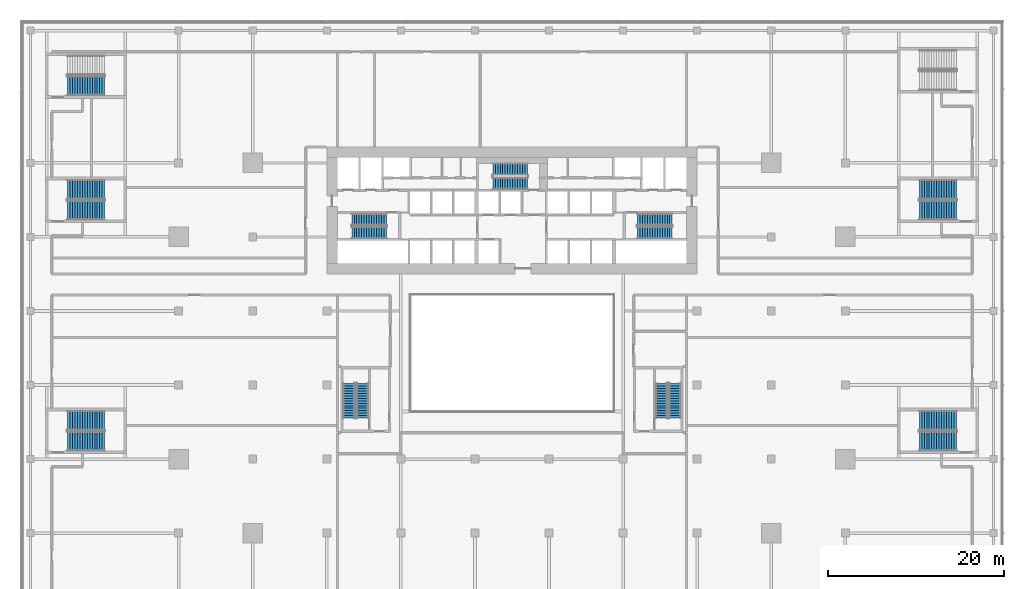
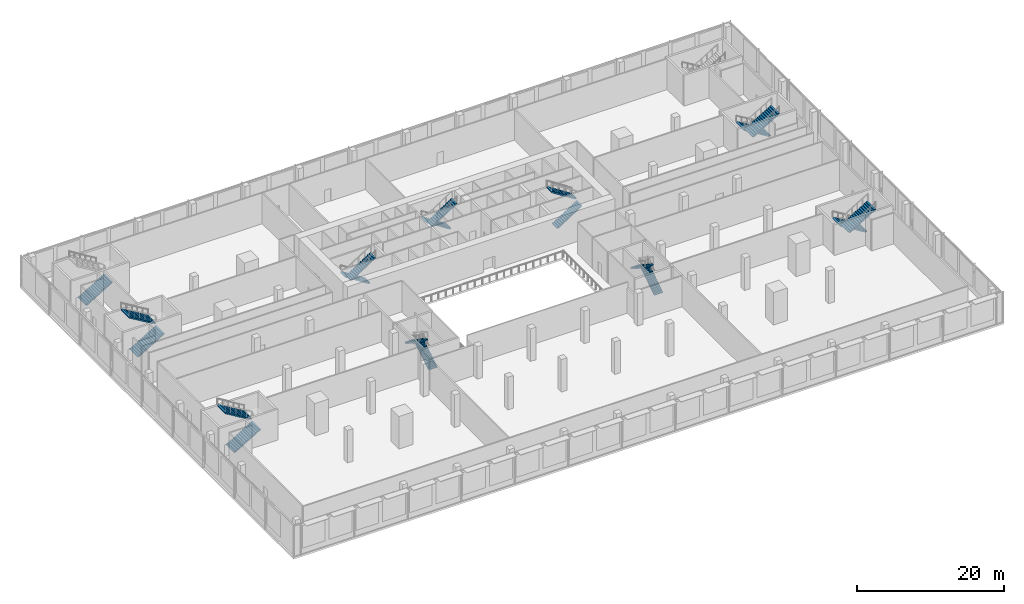
# One storey, part 35 of 39: 19 stair flights, 10 elements without a shape of their own.
"""IFC4 building model written with IfcOpenShell, lengths in metres."""

from ifc_helpers import new_model, si_unit, direction, frame, origin, place, context, subcontext, project, spatial, polyline, outline, extrude, material, type_object, element, aggregate, save


model = new_model("IFC4")

# Units and contexts
model_context = context("Model", 3, precision=1e-05, world=origin(), true_north=direction((0.0, 1.0)))
body_context = subcontext(model_context, "Body", "Model", "MODEL_VIEW")
ifc_project = project(units=[si_unit("LENGTHUNIT", "METRE"), si_unit("AREAUNIT", "SQUARE_METRE"), si_unit("VOLUMEUNIT", "CUBIC_METRE"), si_unit("PLANEANGLEUNIT", "RADIAN"), si_unit("MASSUNIT", "GRAM", prefix="KILO")], contexts=[model_context])

# Site, building, storey
site_placement = place(None, origin())
site = spatial("IfcSite", under=ifc_project, at=site_placement, CompositionType="ELEMENT")
building_placement = place(site_placement, origin())
building = spatial("IfcBuilding", under=site, at=building_placement, Name="Saffron Gate Tower", CompositionType="ELEMENT")
storey_placement = place(building_placement, frame((0.0, 0.0, 9.0)))
storey = spatial("IfcBuildingStorey", under=building, at=storey_placement, Name="L01", CompositionType="ELEMENT", Elevation=9.0)

# Stair, stair flights
ifc_material = material(Name="Concrete C40", Category="concrete")
stair_type_1 = type_object("IfcStairType", Name="ST4 Stair 1350 wide, 30 risers of 180", PredefinedType="HALF_TURN_STAIR", material=ifc_material)
stair_1_placement = place(storey_placement, origin())
stair_1 = element("IfcStair", 1, at=stair_1_placement, inside=storey, type_object=stair_type_1, Name="L01 Exit stair A", PredefinedType="HALF_TURN_STAIR")
stair_flight_type_1 = type_object("IfcStairFlightType", Name="SF3 Stair flight 1350 wide, riser 180 going 280", PredefinedType="STRAIGHT", material=ifc_material)
stair_flight_1_placement = place(storey_placement, frame((73.35009765625, 67.375, 0.0), z_axis=(0.0, 0.0, 1.0), x_axis=(-1.0, 0.0, 0.0)))
stair_flight_1 = element("IfcStairFlight", 2, at=stair_flight_1_placement, type_object=stair_flight_type_1, Name="ST-A flight 1", NumberOfRisers=15, NumberOfTreads=14, PredefinedType="STRAIGHT", RiserHeight=0.18, TreadLength=0.28, context=body_context, shape_type="SweptSolid", body=[
    extrude(outline(polyline([(0.0, 0.0), (0.0, 0.179931640625), (0.280029296875, 0.179931640625), (0.280029296875, 0.360107421875), (0.56005859375, 0.360107421875), (0.56005859375, 0.5400390625), (0.840087890625, 0.5400390625), (0.840087890625, 0.719970703125), (1.1201171875, 0.719970703125), (1.1201171875, 0.89990234375), (1.39990234375, 0.89990234375), (1.39990234375, 1.080078125), (1.679931640625, 1.080078125), (1.679931640625, 1.260009765625), (1.9599609375, 1.260009765625), (1.9599609375, 1.43994140625), (2.239990234375, 1.43994140625), (2.239990234375, 1.6201171875), (2.52001953125, 1.6201171875), (2.52001953125, 1.800048828125), (2.800048828125, 1.800048828125), (2.800048828125, 1.97998046875), (3.080078125, 1.97998046875), (3.080078125, 2.159912109375), (3.360107421875, 2.159912109375), (3.360107421875, 2.340087890625), (3.639892578125, 2.340087890625), (3.639892578125, 2.52001953125), (3.919921875, 2.52001953125), (3.919921875, 2.699951171875), (3.919921875, 2.341796875), (0.277099609375, 0.0), (0.0, 0.0)])), frame((0.0, 0.675048828125, 0.0), z_axis=(0.0, -1.0, 0.0), x_axis=(1.0, 0.0, 0.0)), (0.0, 0.0, 1.0), 1.35009765625),
])
stair_flight_2_placement = place(storey_placement, frame((69.429931640625, 65.875, 2.699951171875), z_axis=(0.0, 0.0, 1.0), x_axis=(1.0, 0.0, 0.0)))
stair_flight_2 = element("IfcStairFlight", 3, at=stair_flight_2_placement, type_object=stair_flight_type_1, Name="ST-A flight 2", NumberOfRisers=15, NumberOfTreads=14, PredefinedType="STRAIGHT", RiserHeight=0.18, TreadLength=0.28, context=body_context, shape_type="SweptSolid", body=[
    extrude(outline(polyline([(0.0, 0.0), (0.0, 0.179931640625), (0.280029296875, 0.179931640625), (0.280029296875, 0.360107421875), (0.56005859375, 0.360107421875), (0.56005859375, 0.5400390625), (0.840087890625, 0.5400390625), (0.840087890625, 0.719970703125), (1.1201171875, 0.719970703125), (1.1201171875, 0.89990234375), (1.39990234375, 0.89990234375), (1.39990234375, 1.080078125), (1.679931640625, 1.080078125), (1.679931640625, 1.260009765625), (1.9599609375, 1.260009765625), (1.9599609375, 1.43994140625), (2.239990234375, 1.43994140625), (2.239990234375, 1.6201171875), (2.52001953125, 1.6201171875), (2.52001953125, 1.800048828125), (2.800048828125, 1.800048828125), (2.800048828125, 1.97998046875), (3.080078125, 1.97998046875), (3.080078125, 2.159912109375), (3.360107421875, 2.159912109375), (3.360107421875, 2.340087890625), (3.639892578125, 2.340087890625), (3.639892578125, 2.52001953125), (3.919921875, 2.52001953125), (3.919921875, 2.699951171875), (3.919921875, 2.341796875), (0.277099609375, 0.0), (0.0, 0.0)])), frame((0.0, 0.675048828125, 0.0), z_axis=(0.0, -1.0, 0.0), x_axis=(1.0, 0.0, 0.0)), (0.0, 0.0, 1.0), 1.35009765625),
])
aggregate(stair_1, [stair_flight_1, stair_flight_2])

stair_2_placement = place(storey_placement, origin())
stair_2 = element("IfcStair", 4, at=stair_2_placement, inside=storey, type_object=stair_type_1, Name="L01 Exit stair B", PredefinedType="HALF_TURN_STAIR")
stair_flight_3_placement = place(storey_placement, frame((101.85009765625, 65.875, 0.0), z_axis=(0.0, 0.0, 1.0), x_axis=(1.0, 0.0, 0.0)))
stair_flight_3 = element("IfcStairFlight", 5, at=stair_flight_3_placement, type_object=stair_flight_type_1, Name="ST-B flight 1", NumberOfRisers=15, NumberOfTreads=14, PredefinedType="STRAIGHT", RiserHeight=0.18, TreadLength=0.28, context=body_context, shape_type="SweptSolid", body=[
    extrude(outline(polyline([(0.0, 0.0), (0.0, 0.179931640625), (0.280029296875, 0.179931640625), (0.280029296875, 0.360107421875), (0.56005859375, 0.360107421875), (0.56005859375, 0.5400390625), (0.840087890625, 0.5400390625), (0.840087890625, 0.719970703125), (1.1201171875, 0.719970703125), (1.1201171875, 0.89990234375), (1.39990234375, 0.89990234375), (1.39990234375, 1.080078125), (1.679931640625, 1.080078125), (1.679931640625, 1.260009765625), (1.9599609375, 1.260009765625), (1.9599609375, 1.43994140625), (2.239990234375, 1.43994140625), (2.239990234375, 1.6201171875), (2.52001953125, 1.6201171875), (2.52001953125, 1.800048828125), (2.800048828125, 1.800048828125), (2.800048828125, 1.97998046875), (3.080078125, 1.97998046875), (3.080078125, 2.159912109375), (3.360107421875, 2.159912109375), (3.360107421875, 2.340087890625), (3.639892578125, 2.340087890625), (3.639892578125, 2.52001953125), (3.919921875, 2.52001953125), (3.919921875, 2.699951171875), (3.919921875, 2.341796875), (0.277099609375, 0.0), (0.0, 0.0)])), frame((0.0, 0.675048828125, 0.0), z_axis=(0.0, -1.0, 0.0), x_axis=(1.0, 0.0, 0.0)), (0.0, 0.0, 1.0), 1.35009765625),
])
stair_flight_4_placement = place(storey_placement, frame((105.77001953125, 67.375, 2.699951171875), z_axis=(0.0, 0.0, 1.0), x_axis=(-1.0, 0.0, 0.0)))
stair_flight_4 = element("IfcStairFlight", 6, at=stair_flight_4_placement, type_object=stair_flight_type_1, Name="ST-B flight 2", NumberOfRisers=15, NumberOfTreads=14, PredefinedType="STRAIGHT", RiserHeight=0.18, TreadLength=0.28, context=body_context, shape_type="SweptSolid", body=[
    extrude(outline(polyline([(0.0, 0.0), (0.0, 0.179931640625), (0.280029296875, 0.179931640625), (0.280029296875, 0.360107421875), (0.56005859375, 0.360107421875), (0.56005859375, 0.5400390625), (0.840087890625, 0.5400390625), (0.840087890625, 0.719970703125), (1.1201171875, 0.719970703125), (1.1201171875, 0.89990234375), (1.39990234375, 0.89990234375), (1.39990234375, 1.080078125), (1.679931640625, 1.080078125), (1.679931640625, 1.260009765625), (1.9599609375, 1.260009765625), (1.9599609375, 1.43994140625), (2.239990234375, 1.43994140625), (2.239990234375, 1.6201171875), (2.52001953125, 1.6201171875), (2.52001953125, 1.800048828125), (2.800048828125, 1.800048828125), (2.800048828125, 1.97998046875), (3.080078125, 1.97998046875), (3.080078125, 2.159912109375), (3.360107421875, 2.159912109375), (3.360107421875, 2.340087890625), (3.639892578125, 2.340087890625), (3.639892578125, 2.52001953125), (3.919921875, 2.52001953125), (3.919921875, 2.699951171875), (3.919921875, 2.341796875), (0.277099609375, 0.0), (0.0, 0.0)])), frame((0.0, 0.675048828125, 0.0), z_axis=(0.0, -1.0, 0.0), x_axis=(1.0, 0.0, 0.0)), (0.0, 0.0, 1.0), 1.35009765625),
])
aggregate(stair_2, [stair_flight_3, stair_flight_4])

stair_3_placement = place(storey_placement, origin())
stair_3 = element("IfcStair", 7, at=stair_3_placement, inside=storey, type_object=stair_type_1, Name="L01 Exit stair C", PredefinedType="HALF_TURN_STAIR")
stair_flight_5_placement = place(storey_placement, frame((89.35009765625, 73.074951171875, 0.0), z_axis=(0.0, 0.0, 1.0), x_axis=(-1.0, 0.0, 0.0)))
stair_flight_5 = element("IfcStairFlight", 8, at=stair_flight_5_placement, type_object=stair_flight_type_1, Name="ST-C flight 1", NumberOfRisers=15, NumberOfTreads=14, PredefinedType="STRAIGHT", RiserHeight=0.18, TreadLength=0.28, context=body_context, shape_type="SweptSolid", body=[
    extrude(outline(polyline([(0.0, 0.0), (0.0, 0.179931640625), (0.280029296875, 0.179931640625), (0.280029296875, 0.360107421875), (0.56005859375, 0.360107421875), (0.56005859375, 0.5400390625), (0.840087890625, 0.5400390625), (0.840087890625, 0.719970703125), (1.1201171875, 0.719970703125), (1.1201171875, 0.89990234375), (1.39990234375, 0.89990234375), (1.39990234375, 1.080078125), (1.679931640625, 1.080078125), (1.679931640625, 1.260009765625), (1.9599609375, 1.260009765625), (1.9599609375, 1.43994140625), (2.239990234375, 1.43994140625), (2.239990234375, 1.6201171875), (2.52001953125, 1.6201171875), (2.52001953125, 1.800048828125), (2.800048828125, 1.800048828125), (2.800048828125, 1.97998046875), (3.080078125, 1.97998046875), (3.080078125, 2.159912109375), (3.360107421875, 2.159912109375), (3.360107421875, 2.340087890625), (3.639892578125, 2.340087890625), (3.639892578125, 2.52001953125), (3.919921875, 2.52001953125), (3.919921875, 2.699951171875), (3.919921875, 2.341796875), (0.277099609375, 0.0), (0.0, 0.0)])), frame((0.0, 0.675048828125, 0.0), z_axis=(0.0, -1.0, 0.0), x_axis=(1.0, 0.0, 0.0)), (0.0, 0.0, 1.0), 1.35009765625),
])
stair_flight_6_placement = place(storey_placement, frame((85.429931640625, 71.47509765625, 2.699951171875), z_axis=(0.0, 0.0, 1.0), x_axis=(1.0, 0.0, 0.0)))
stair_flight_6 = element("IfcStairFlight", 9, at=stair_flight_6_placement, type_object=stair_flight_type_1, Name="ST-C flight 2", NumberOfRisers=15, NumberOfTreads=14, PredefinedType="STRAIGHT", RiserHeight=0.18, TreadLength=0.28, context=body_context, shape_type="SweptSolid", body=[
    extrude(outline(polyline([(0.0, 0.0), (0.0, 0.179931640625), (0.280029296875, 0.179931640625), (0.280029296875, 0.360107421875), (0.56005859375, 0.360107421875), (0.56005859375, 0.5400390625), (0.840087890625, 0.5400390625), (0.840087890625, 0.719970703125), (1.1201171875, 0.719970703125), (1.1201171875, 0.89990234375), (1.39990234375, 0.89990234375), (1.39990234375, 1.080078125), (1.679931640625, 1.080078125), (1.679931640625, 1.260009765625), (1.9599609375, 1.260009765625), (1.9599609375, 1.43994140625), (2.239990234375, 1.43994140625), (2.239990234375, 1.6201171875), (2.52001953125, 1.6201171875), (2.52001953125, 1.800048828125), (2.800048828125, 1.800048828125), (2.800048828125, 1.97998046875), (3.080078125, 1.97998046875), (3.080078125, 2.159912109375), (3.360107421875, 2.159912109375), (3.360107421875, 2.340087890625), (3.639892578125, 2.340087890625), (3.639892578125, 2.52001953125), (3.919921875, 2.52001953125), (3.919921875, 2.699951171875), (3.919921875, 2.341796875), (0.277099609375, 0.0), (0.0, 0.0)])), frame((0.0, 0.675048828125, 0.0), z_axis=(0.0, -1.0, 0.0), x_axis=(1.0, 0.0, 0.0)), (0.0, 0.0, 1.0), 1.35009765625),
])
aggregate(stair_3, [stair_flight_5, stair_flight_6])

stair_4_placement = place(storey_placement, origin())
stair_4 = element("IfcStair", 10, at=stair_4_placement, inside=storey, type_object=stair_type_1, Name="L01 Exit stair D", PredefinedType="HALF_TURN_STAIR")
stair_flight_7_placement = place(storey_placement, frame((70.625, 44.85009765625, 0.0), z_axis=(0.0, 0.0, 1.0), x_axis=(0.0, 1.0, 0.0)))
stair_flight_7 = element("IfcStairFlight", 11, at=stair_flight_7_placement, type_object=stair_flight_type_1, Name="ST-D flight 1", NumberOfRisers=15, NumberOfTreads=14, PredefinedType="STRAIGHT", RiserHeight=0.18, TreadLength=0.28, context=body_context, shape_type="SweptSolid", body=[
    extrude(outline(polyline([(0.0, 0.0), (0.0, 0.179931640625), (0.280029296875, 0.179931640625), (0.280029296875, 0.360107421875), (0.56005859375, 0.360107421875), (0.56005859375, 0.5400390625), (0.840087890625, 0.5400390625), (0.840087890625, 0.719970703125), (1.1201171875, 0.719970703125), (1.1201171875, 0.89990234375), (1.39990234375, 0.89990234375), (1.39990234375, 1.080078125), (1.679931640625, 1.080078125), (1.679931640625, 1.260009765625), (1.9599609375, 1.260009765625), (1.9599609375, 1.43994140625), (2.239990234375, 1.43994140625), (2.239990234375, 1.6201171875), (2.52001953125, 1.6201171875), (2.52001953125, 1.800048828125), (2.800048828125, 1.800048828125), (2.800048828125, 1.97998046875), (3.080078125, 1.97998046875), (3.080078125, 2.159912109375), (3.360107421875, 2.159912109375), (3.360107421875, 2.340087890625), (3.639892578125, 2.340087890625), (3.639892578125, 2.52001953125), (3.919921875, 2.52001953125), (3.919921875, 2.699951171875), (3.919921875, 2.341796875), (0.277099609375, 0.0), (0.0, 0.0)])), frame((0.0, 0.675048828125, 0.0), z_axis=(0.0, -1.0, 0.0), x_axis=(1.0, 0.0, 0.0)), (0.0, 0.0, 1.0), 1.35009765625),
])
stair_flight_8_placement = place(storey_placement, frame((69.125, 48.77001953125, 2.699951171875), z_axis=(0.0, 0.0, 1.0), x_axis=(0.0, -1.0, 0.0)))
stair_flight_8 = element("IfcStairFlight", 12, at=stair_flight_8_placement, type_object=stair_flight_type_1, Name="ST-D flight 2", NumberOfRisers=15, NumberOfTreads=14, PredefinedType="STRAIGHT", RiserHeight=0.18, TreadLength=0.28, context=body_context, shape_type="SweptSolid", body=[
    extrude(outline(polyline([(0.0, 0.0), (0.0, 0.179931640625), (0.280029296875, 0.179931640625), (0.280029296875, 0.360107421875), (0.56005859375, 0.360107421875), (0.56005859375, 0.5400390625), (0.840087890625, 0.5400390625), (0.840087890625, 0.719970703125), (1.1201171875, 0.719970703125), (1.1201171875, 0.89990234375), (1.39990234375, 0.89990234375), (1.39990234375, 1.080078125), (1.679931640625, 1.080078125), (1.679931640625, 1.260009765625), (1.9599609375, 1.260009765625), (1.9599609375, 1.43994140625), (2.239990234375, 1.43994140625), (2.239990234375, 1.6201171875), (2.52001953125, 1.6201171875), (2.52001953125, 1.800048828125), (2.800048828125, 1.800048828125), (2.800048828125, 1.97998046875), (3.080078125, 1.97998046875), (3.080078125, 2.159912109375), (3.360107421875, 2.159912109375), (3.360107421875, 2.340087890625), (3.639892578125, 2.340087890625), (3.639892578125, 2.52001953125), (3.919921875, 2.52001953125), (3.919921875, 2.699951171875), (3.919921875, 2.341796875), (0.277099609375, 0.0), (0.0, 0.0)])), frame((0.0, 0.675048828125, 0.0), z_axis=(0.0, -1.0, 0.0), x_axis=(1.0, 0.0, 0.0)), (0.0, 0.0, 1.0), 1.35009765625),
])
aggregate(stair_4, [stair_flight_7, stair_flight_8])

stair_5_placement = place(storey_placement, origin())
stair_5 = element("IfcStair", 13, at=stair_5_placement, inside=storey, type_object=stair_type_1, Name="L01 Exit stair E", PredefinedType="HALF_TURN_STAIR")
stair_flight_9_placement = place(storey_placement, frame((106.074951171875, 44.85009765625, 0.0), z_axis=(0.0, 0.0, 1.0), x_axis=(0.0, 1.0, 0.0)))
stair_flight_9 = element("IfcStairFlight", 14, at=stair_flight_9_placement, type_object=stair_flight_type_1, Name="ST-E flight 1", NumberOfRisers=15, NumberOfTreads=14, PredefinedType="STRAIGHT", RiserHeight=0.18, TreadLength=0.28, context=body_context, shape_type="SweptSolid", body=[
    extrude(outline(polyline([(0.0, 0.0), (0.0, 0.179931640625), (0.280029296875, 0.179931640625), (0.280029296875, 0.360107421875), (0.56005859375, 0.360107421875), (0.56005859375, 0.5400390625), (0.840087890625, 0.5400390625), (0.840087890625, 0.719970703125), (1.1201171875, 0.719970703125), (1.1201171875, 0.89990234375), (1.39990234375, 0.89990234375), (1.39990234375, 1.080078125), (1.679931640625, 1.080078125), (1.679931640625, 1.260009765625), (1.9599609375, 1.260009765625), (1.9599609375, 1.43994140625), (2.239990234375, 1.43994140625), (2.239990234375, 1.6201171875), (2.52001953125, 1.6201171875), (2.52001953125, 1.800048828125), (2.800048828125, 1.800048828125), (2.800048828125, 1.97998046875), (3.080078125, 1.97998046875), (3.080078125, 2.159912109375), (3.360107421875, 2.159912109375), (3.360107421875, 2.340087890625), (3.639892578125, 2.340087890625), (3.639892578125, 2.52001953125), (3.919921875, 2.52001953125), (3.919921875, 2.699951171875), (3.919921875, 2.341796875), (0.277099609375, 0.0), (0.0, 0.0)])), frame((0.0, 0.675048828125, 0.0), z_axis=(0.0, -1.0, 0.0), x_axis=(1.0, 0.0, 0.0)), (0.0, 0.0, 1.0), 1.35009765625),
])
stair_flight_10_placement = place(storey_placement, frame((104.574951171875, 48.77001953125, 2.699951171875), z_axis=(0.0, 0.0, 1.0), x_axis=(0.0, -1.0, 0.0)))
stair_flight_10 = element("IfcStairFlight", 15, at=stair_flight_10_placement, type_object=stair_flight_type_1, Name="ST-E flight 2", NumberOfRisers=15, NumberOfTreads=14, PredefinedType="STRAIGHT", RiserHeight=0.18, TreadLength=0.28, context=body_context, shape_type="SweptSolid", body=[
    extrude(outline(polyline([(0.0, 0.0), (0.0, 0.179931640625), (0.280029296875, 0.179931640625), (0.280029296875, 0.360107421875), (0.56005859375, 0.360107421875), (0.56005859375, 0.5400390625), (0.840087890625, 0.5400390625), (0.840087890625, 0.719970703125), (1.1201171875, 0.719970703125), (1.1201171875, 0.89990234375), (1.39990234375, 0.89990234375), (1.39990234375, 1.080078125), (1.679931640625, 1.080078125), (1.679931640625, 1.260009765625), (1.9599609375, 1.260009765625), (1.9599609375, 1.43994140625), (2.239990234375, 1.43994140625), (2.239990234375, 1.6201171875), (2.52001953125, 1.6201171875), (2.52001953125, 1.800048828125), (2.800048828125, 1.800048828125), (2.800048828125, 1.97998046875), (3.080078125, 1.97998046875), (3.080078125, 2.159912109375), (3.360107421875, 2.159912109375), (3.360107421875, 2.340087890625), (3.639892578125, 2.340087890625), (3.639892578125, 2.52001953125), (3.919921875, 2.52001953125), (3.919921875, 2.699951171875), (3.919921875, 2.341796875), (0.277099609375, 0.0), (0.0, 0.0)])), frame((0.0, 0.675048828125, 0.0), z_axis=(0.0, -1.0, 0.0), x_axis=(1.0, 0.0, 0.0)), (0.0, 0.0, 1.0), 1.35009765625),
])
aggregate(stair_5, [stair_flight_9, stair_flight_10])

# Stair, stair flight
stair_type_2 = type_object("IfcStairType", Name="ST10 Stair 2200 wide, 32 risers of 169", PredefinedType="HALF_TURN_STAIR", material=ifc_material)
stair_6_placement = place(storey_placement, origin())
stair_6 = element("IfcStair", 16, at=stair_6_placement, inside=storey, type_object=stair_type_2, Name="L01 Exit stair F", PredefinedType="HALF_TURN_STAIR")
stair_flight_type_2 = type_object("IfcStairFlightType", Name="SF6 Stair flight 2200 wide, riser 169 going 280", PredefinedType="STRAIGHT", material=ifc_material)
stair_flight_11_placement = place(storey_placement, frame((37.199951171875, 82.52490234375, 0.0), z_axis=(0.0, 0.0, 1.0), x_axis=(1.0, 0.0, 0.0)))
stair_flight_11 = element("IfcStairFlight", 17, at=stair_flight_11_placement, type_object=stair_flight_type_2, Name="ST-F flight 1", NumberOfRisers=16, NumberOfTreads=15, PredefinedType="STRAIGHT", RiserHeight=0.16875, TreadLength=0.28, context=body_context, shape_type="SweptSolid", body=[
    extrude(outline(polyline([(0.0, 0.0), (0.0, 0.168701171875), (0.280029296875, 0.168701171875), (0.280029296875, 0.33740234375), (0.56005859375, 0.33740234375), (0.56005859375, 0.50634765625), (0.840087890625, 0.50634765625), (0.840087890625, 0.675048828125), (1.1201171875, 0.675048828125), (1.1201171875, 0.84375), (1.39990234375, 0.84375), (1.39990234375, 1.012451171875), (1.679931640625, 1.012451171875), (1.679931640625, 1.18115234375), (1.9599609375, 1.18115234375), (1.9599609375, 1.35009765625), (2.239990234375, 1.35009765625), (2.239990234375, 1.518798828125), (2.52001953125, 1.518798828125), (2.52001953125, 1.6875), (2.800048828125, 1.6875), (2.800048828125, 1.856201171875), (3.080078125, 1.856201171875), (3.080078125, 2.02490234375), (3.360107421875, 2.02490234375), (3.360107421875, 2.19384765625), (3.639892578125, 2.19384765625), (3.639892578125, 2.362548828125), (3.919921875, 2.362548828125), (3.919921875, 2.53125), (4.199951171875, 2.53125), (4.199951171875, 2.699951171875), (4.199951171875, 2.356201171875), (0.29052734375, 0.0), (0.0, 0.0)])), frame((0.0, 1.10009765625, 0.0), z_axis=(0.0, -1.0, 0.0), x_axis=(1.0, 0.0, 0.0)), (0.0, 0.0, 1.0), 2.199951171875),
])
aggregate(stair_6, [stair_flight_11])

# Stair, stair flights
stair_7_placement = place(storey_placement, origin())
stair_7 = element("IfcStair", 18, at=stair_7_placement, inside=storey, type_object=stair_type_2, Name="L01 Exit stair G", PredefinedType="HALF_TURN_STAIR")
stair_flight_12_placement = place(storey_placement, frame((37.199951171875, 68.425048828125, 0.0), z_axis=(0.0, 0.0, 1.0), x_axis=(1.0, 0.0, 0.0)))
stair_flight_12 = element("IfcStairFlight", 19, at=stair_flight_12_placement, type_object=stair_flight_type_2, Name="ST-G flight 1", NumberOfRisers=16, NumberOfTreads=15, PredefinedType="STRAIGHT", RiserHeight=0.16875, TreadLength=0.28, context=body_context, shape_type="SweptSolid", body=[
    extrude(outline(polyline([(0.0, 0.0), (0.0, 0.168701171875), (0.280029296875, 0.168701171875), (0.280029296875, 0.33740234375), (0.56005859375, 0.33740234375), (0.56005859375, 0.50634765625), (0.840087890625, 0.50634765625), (0.840087890625, 0.675048828125), (1.1201171875, 0.675048828125), (1.1201171875, 0.84375), (1.39990234375, 0.84375), (1.39990234375, 1.012451171875), (1.679931640625, 1.012451171875), (1.679931640625, 1.18115234375), (1.9599609375, 1.18115234375), (1.9599609375, 1.35009765625), (2.239990234375, 1.35009765625), (2.239990234375, 1.518798828125), (2.52001953125, 1.518798828125), (2.52001953125, 1.6875), (2.800048828125, 1.6875), (2.800048828125, 1.856201171875), (3.080078125, 1.856201171875), (3.080078125, 2.02490234375), (3.360107421875, 2.02490234375), (3.360107421875, 2.19384765625), (3.639892578125, 2.19384765625), (3.639892578125, 2.362548828125), (3.919921875, 2.362548828125), (3.919921875, 2.53125), (4.199951171875, 2.53125), (4.199951171875, 2.699951171875), (4.199951171875, 2.356201171875), (0.29052734375, 0.0), (0.0, 0.0)])), frame((0.0, 1.10009765625, 0.0), z_axis=(0.0, -1.0, 0.0), x_axis=(1.0, 0.0, 0.0)), (0.0, 0.0, 1.0), 2.199951171875),
])
stair_flight_13_placement = place(storey_placement, frame((41.39990234375, 70.77490234375, 2.699951171875), z_axis=(0.0, 0.0, 1.0), x_axis=(-1.0, 0.0, 0.0)))
stair_flight_13 = element("IfcStairFlight", 20, at=stair_flight_13_placement, type_object=stair_flight_type_2, Name="ST-G flight 2", NumberOfRisers=16, NumberOfTreads=15, PredefinedType="STRAIGHT", RiserHeight=0.16875, TreadLength=0.28, context=body_context, shape_type="SweptSolid", body=[
    extrude(outline(polyline([(0.0, 0.0), (0.0, 0.168701171875), (0.280029296875, 0.168701171875), (0.280029296875, 0.33740234375), (0.56005859375, 0.33740234375), (0.56005859375, 0.50634765625), (0.840087890625, 0.50634765625), (0.840087890625, 0.675048828125), (1.1201171875, 0.675048828125), (1.1201171875, 0.84375), (1.39990234375, 0.84375), (1.39990234375, 1.012451171875), (1.679931640625, 1.012451171875), (1.679931640625, 1.18115234375), (1.9599609375, 1.18115234375), (1.9599609375, 1.35009765625), (2.239990234375, 1.35009765625), (2.239990234375, 1.518798828125), (2.52001953125, 1.518798828125), (2.52001953125, 1.6875), (2.800048828125, 1.6875), (2.800048828125, 1.856201171875), (3.080078125, 1.856201171875), (3.080078125, 2.02490234375), (3.360107421875, 2.02490234375), (3.360107421875, 2.19384765625), (3.639892578125, 2.19384765625), (3.639892578125, 2.362548828125), (3.919921875, 2.362548828125), (3.919921875, 2.53125), (4.199951171875, 2.53125), (4.199951171875, 2.699951171875), (4.199951171875, 2.356201171875), (0.29052734375, 0.0), (0.0, 0.0)])), frame((0.0, 1.10009765625, 0.0), z_axis=(0.0, -1.0, 0.0), x_axis=(1.0, 0.0, 0.0)), (0.0, 0.0, 1.0), 2.199951171875),
])
aggregate(stair_7, [stair_flight_12, stair_flight_13])

stair_8_placement = place(storey_placement, origin())
stair_8 = element("IfcStair", 21, at=stair_8_placement, inside=storey, type_object=stair_type_2, Name="L01 Exit stair H", PredefinedType="HALF_TURN_STAIR")
stair_flight_14_placement = place(storey_placement, frame((37.199951171875, 42.22509765625, 0.0), z_axis=(0.0, 0.0, 1.0), x_axis=(1.0, 0.0, 0.0)))
stair_flight_14 = element("IfcStairFlight", 22, at=stair_flight_14_placement, type_object=stair_flight_type_2, Name="ST-H flight 1", NumberOfRisers=16, NumberOfTreads=15, PredefinedType="STRAIGHT", RiserHeight=0.16875, TreadLength=0.28, context=body_context, shape_type="SweptSolid", body=[
    extrude(outline(polyline([(0.0, 0.0), (0.0, 0.168701171875), (0.280029296875, 0.168701171875), (0.280029296875, 0.33740234375), (0.56005859375, 0.33740234375), (0.56005859375, 0.50634765625), (0.840087890625, 0.50634765625), (0.840087890625, 0.675048828125), (1.1201171875, 0.675048828125), (1.1201171875, 0.84375), (1.39990234375, 0.84375), (1.39990234375, 1.012451171875), (1.679931640625, 1.012451171875), (1.679931640625, 1.18115234375), (1.9599609375, 1.18115234375), (1.9599609375, 1.35009765625), (2.239990234375, 1.35009765625), (2.239990234375, 1.518798828125), (2.52001953125, 1.518798828125), (2.52001953125, 1.6875), (2.800048828125, 1.6875), (2.800048828125, 1.856201171875), (3.080078125, 1.856201171875), (3.080078125, 2.02490234375), (3.360107421875, 2.02490234375), (3.360107421875, 2.19384765625), (3.639892578125, 2.19384765625), (3.639892578125, 2.362548828125), (3.919921875, 2.362548828125), (3.919921875, 2.53125), (4.199951171875, 2.53125), (4.199951171875, 2.699951171875), (4.199951171875, 2.356201171875), (0.29052734375, 0.0), (0.0, 0.0)])), frame((0.0, 1.10009765625, 0.0), z_axis=(0.0, -1.0, 0.0), x_axis=(1.0, 0.0, 0.0)), (0.0, 0.0, 1.0), 2.199951171875),
])
stair_flight_15_placement = place(storey_placement, frame((41.39990234375, 44.574951171875, 2.699951171875), z_axis=(0.0, 0.0, 1.0), x_axis=(-1.0, 0.0, 0.0)))
stair_flight_15 = element("IfcStairFlight", 23, at=stair_flight_15_placement, type_object=stair_flight_type_2, Name="ST-H flight 2", NumberOfRisers=16, NumberOfTreads=15, PredefinedType="STRAIGHT", RiserHeight=0.16875, TreadLength=0.28, context=body_context, shape_type="SweptSolid", body=[
    extrude(outline(polyline([(0.0, 0.0), (0.0, 0.168701171875), (0.280029296875, 0.168701171875), (0.280029296875, 0.33740234375), (0.56005859375, 0.33740234375), (0.56005859375, 0.50634765625), (0.840087890625, 0.50634765625), (0.840087890625, 0.675048828125), (1.1201171875, 0.675048828125), (1.1201171875, 0.84375), (1.39990234375, 0.84375), (1.39990234375, 1.012451171875), (1.679931640625, 1.012451171875), (1.679931640625, 1.18115234375), (1.9599609375, 1.18115234375), (1.9599609375, 1.35009765625), (2.239990234375, 1.35009765625), (2.239990234375, 1.518798828125), (2.52001953125, 1.518798828125), (2.52001953125, 1.6875), (2.800048828125, 1.6875), (2.800048828125, 1.856201171875), (3.080078125, 1.856201171875), (3.080078125, 2.02490234375), (3.360107421875, 2.02490234375), (3.360107421875, 2.19384765625), (3.639892578125, 2.19384765625), (3.639892578125, 2.362548828125), (3.919921875, 2.362548828125), (3.919921875, 2.53125), (4.199951171875, 2.53125), (4.199951171875, 2.699951171875), (4.199951171875, 2.356201171875), (0.29052734375, 0.0), (0.0, 0.0)])), frame((0.0, 1.10009765625, 0.0), z_axis=(0.0, -1.0, 0.0), x_axis=(1.0, 0.0, 0.0)), (0.0, 0.0, 1.0), 2.199951171875),
])
aggregate(stair_8, [stair_flight_14, stair_flight_15])

stair_9_placement = place(storey_placement, origin())
stair_9 = element("IfcStair", 24, at=stair_9_placement, inside=storey, type_object=stair_type_2, Name="L01 Exit stair J", PredefinedType="HALF_TURN_STAIR")
stair_flight_16_placement = place(storey_placement, frame((138.0, 70.77490234375, 0.0), z_axis=(0.0, 0.0, 1.0), x_axis=(-1.0, 0.0, 0.0)))
stair_flight_16 = element("IfcStairFlight", 25, at=stair_flight_16_placement, type_object=stair_flight_type_2, Name="ST-J flight 1", NumberOfRisers=16, NumberOfTreads=15, PredefinedType="STRAIGHT", RiserHeight=0.16875, TreadLength=0.28, context=body_context, shape_type="SweptSolid", body=[
    extrude(outline(polyline([(0.0, 0.0), (0.0, 0.168701171875), (0.280029296875, 0.168701171875), (0.280029296875, 0.33740234375), (0.56005859375, 0.33740234375), (0.56005859375, 0.50634765625), (0.840087890625, 0.50634765625), (0.840087890625, 0.675048828125), (1.1201171875, 0.675048828125), (1.1201171875, 0.84375), (1.39990234375, 0.84375), (1.39990234375, 1.012451171875), (1.679931640625, 1.012451171875), (1.679931640625, 1.18115234375), (1.9599609375, 1.18115234375), (1.9599609375, 1.35009765625), (2.239990234375, 1.35009765625), (2.239990234375, 1.518798828125), (2.52001953125, 1.518798828125), (2.52001953125, 1.6875), (2.800048828125, 1.6875), (2.800048828125, 1.856201171875), (3.080078125, 1.856201171875), (3.080078125, 2.02490234375), (3.360107421875, 2.02490234375), (3.360107421875, 2.19384765625), (3.639892578125, 2.19384765625), (3.639892578125, 2.362548828125), (3.919921875, 2.362548828125), (3.919921875, 2.53125), (4.199951171875, 2.53125), (4.199951171875, 2.699951171875), (4.199951171875, 2.356201171875), (0.29052734375, 0.0), (0.0, 0.0)])), frame((0.0, 1.10009765625, 0.0), z_axis=(0.0, -1.0, 0.0), x_axis=(1.0, 0.0, 0.0)), (0.0, 0.0, 1.0), 2.199951171875),
])
stair_flight_17_placement = place(storey_placement, frame((133.800048828125, 68.425048828125, 2.699951171875), z_axis=(0.0, 0.0, 1.0), x_axis=(1.0, 0.0, 0.0)))
stair_flight_17 = element("IfcStairFlight", 26, at=stair_flight_17_placement, type_object=stair_flight_type_2, Name="ST-J flight 2", NumberOfRisers=16, NumberOfTreads=15, PredefinedType="STRAIGHT", RiserHeight=0.16875, TreadLength=0.28, context=body_context, shape_type="SweptSolid", body=[
    extrude(outline(polyline([(0.0, 0.0), (0.0, 0.168701171875), (0.280029296875, 0.168701171875), (0.280029296875, 0.33740234375), (0.56005859375, 0.33740234375), (0.56005859375, 0.50634765625), (0.840087890625, 0.50634765625), (0.840087890625, 0.675048828125), (1.1201171875, 0.675048828125), (1.1201171875, 0.84375), (1.39990234375, 0.84375), (1.39990234375, 1.012451171875), (1.679931640625, 1.012451171875), (1.679931640625, 1.18115234375), (1.9599609375, 1.18115234375), (1.9599609375, 1.35009765625), (2.239990234375, 1.35009765625), (2.239990234375, 1.518798828125), (2.52001953125, 1.518798828125), (2.52001953125, 1.6875), (2.800048828125, 1.6875), (2.800048828125, 1.856201171875), (3.080078125, 1.856201171875), (3.080078125, 2.02490234375), (3.360107421875, 2.02490234375), (3.360107421875, 2.19384765625), (3.639892578125, 2.19384765625), (3.639892578125, 2.362548828125), (3.919921875, 2.362548828125), (3.919921875, 2.53125), (4.199951171875, 2.53125), (4.199951171875, 2.699951171875), (4.199951171875, 2.356201171875), (0.29052734375, 0.0), (0.0, 0.0)])), frame((0.0, 1.10009765625, 0.0), z_axis=(0.0, -1.0, 0.0), x_axis=(1.0, 0.0, 0.0)), (0.0, 0.0, 1.0), 2.199951171875),
])
aggregate(stair_9, [stair_flight_16, stair_flight_17])

stair_10_placement = place(storey_placement, origin())
stair_10 = element("IfcStair", 27, at=stair_10_placement, inside=storey, type_object=stair_type_2, Name="L01 Exit stair K", PredefinedType="HALF_TURN_STAIR")
stair_flight_18_placement = place(storey_placement, frame((138.0, 44.574951171875, 0.0), z_axis=(0.0, 0.0, 1.0), x_axis=(-1.0, 0.0, 0.0)))
stair_flight_18 = element("IfcStairFlight", 28, at=stair_flight_18_placement, type_object=stair_flight_type_2, Name="ST-K flight 1", NumberOfRisers=16, NumberOfTreads=15, PredefinedType="STRAIGHT", RiserHeight=0.16875, TreadLength=0.28, context=body_context, shape_type="SweptSolid", body=[
    extrude(outline(polyline([(0.0, 0.0), (0.0, 0.168701171875), (0.280029296875, 0.168701171875), (0.280029296875, 0.33740234375), (0.56005859375, 0.33740234375), (0.56005859375, 0.50634765625), (0.840087890625, 0.50634765625), (0.840087890625, 0.675048828125), (1.1201171875, 0.675048828125), (1.1201171875, 0.84375), (1.39990234375, 0.84375), (1.39990234375, 1.012451171875), (1.679931640625, 1.012451171875), (1.679931640625, 1.18115234375), (1.9599609375, 1.18115234375), (1.9599609375, 1.35009765625), (2.239990234375, 1.35009765625), (2.239990234375, 1.518798828125), (2.52001953125, 1.518798828125), (2.52001953125, 1.6875), (2.800048828125, 1.6875), (2.800048828125, 1.856201171875), (3.080078125, 1.856201171875), (3.080078125, 2.02490234375), (3.360107421875, 2.02490234375), (3.360107421875, 2.19384765625), (3.639892578125, 2.19384765625), (3.639892578125, 2.362548828125), (3.919921875, 2.362548828125), (3.919921875, 2.53125), (4.199951171875, 2.53125), (4.199951171875, 2.699951171875), (4.199951171875, 2.356201171875), (0.29052734375, 0.0), (0.0, 0.0)])), frame((0.0, 1.10009765625, 0.0), z_axis=(0.0, -1.0, 0.0), x_axis=(1.0, 0.0, 0.0)), (0.0, 0.0, 1.0), 2.199951171875),
])
stair_flight_19_placement = place(storey_placement, frame((133.800048828125, 42.22509765625, 2.699951171875), z_axis=(0.0, 0.0, 1.0), x_axis=(1.0, 0.0, 0.0)))
stair_flight_19 = element("IfcStairFlight", 29, at=stair_flight_19_placement, type_object=stair_flight_type_2, Name="ST-K flight 2", NumberOfRisers=16, NumberOfTreads=15, PredefinedType="STRAIGHT", RiserHeight=0.16875, TreadLength=0.28, context=body_context, shape_type="SweptSolid", body=[
    extrude(outline(polyline([(0.0, 0.0), (0.0, 0.168701171875), (0.280029296875, 0.168701171875), (0.280029296875, 0.33740234375), (0.56005859375, 0.33740234375), (0.56005859375, 0.50634765625), (0.840087890625, 0.50634765625), (0.840087890625, 0.675048828125), (1.1201171875, 0.675048828125), (1.1201171875, 0.84375), (1.39990234375, 0.84375), (1.39990234375, 1.012451171875), (1.679931640625, 1.012451171875), (1.679931640625, 1.18115234375), (1.9599609375, 1.18115234375), (1.9599609375, 1.35009765625), (2.239990234375, 1.35009765625), (2.239990234375, 1.518798828125), (2.52001953125, 1.518798828125), (2.52001953125, 1.6875), (2.800048828125, 1.6875), (2.800048828125, 1.856201171875), (3.080078125, 1.856201171875), (3.080078125, 2.02490234375), (3.360107421875, 2.02490234375), (3.360107421875, 2.19384765625), (3.639892578125, 2.19384765625), (3.639892578125, 2.362548828125), (3.919921875, 2.362548828125), (3.919921875, 2.53125), (4.199951171875, 2.53125), (4.199951171875, 2.699951171875), (4.199951171875, 2.356201171875), (0.29052734375, 0.0), (0.0, 0.0)])), frame((0.0, 1.10009765625, 0.0), z_axis=(0.0, -1.0, 0.0), x_axis=(1.0, 0.0, 0.0)), (0.0, 0.0, 1.0), 2.199951171875),
])
aggregate(stair_10, [stair_flight_18, stair_flight_19])

save(model, "model.ifc")
